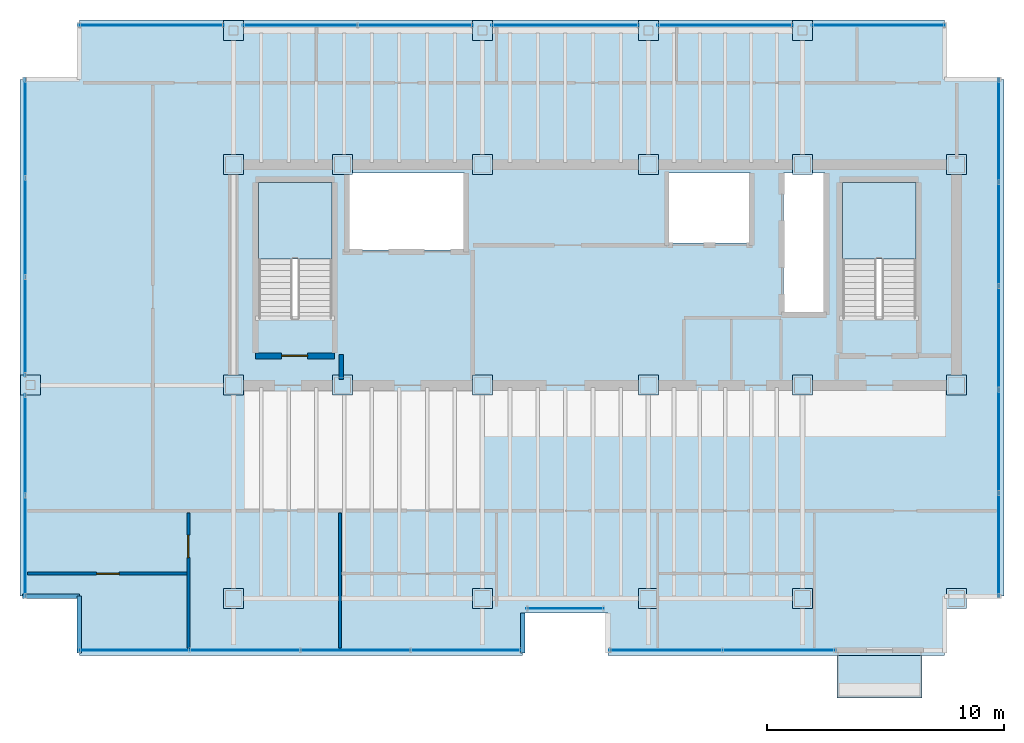
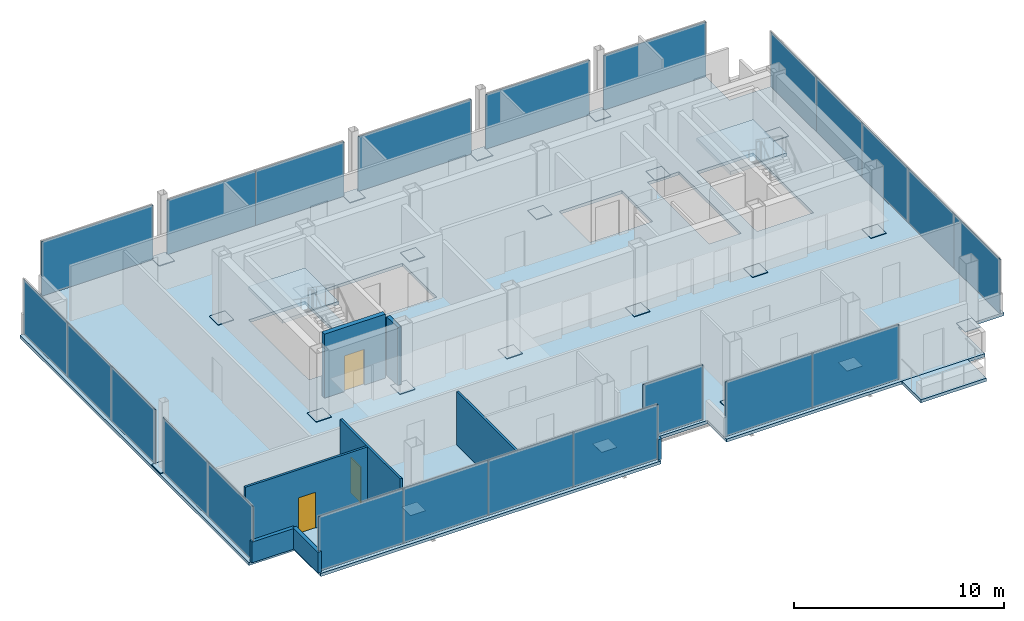
# One storey, part 14 of 17: 45 plates, 8 walls, 4 slabs, 3 doors, 8 openings, 13 elements without a shape of their own.
"""IFC4 building model written with IfcOpenShell, lengths in metres."""

import ifcopenshell
import ifcopenshell.guid

model = None  # the IFC model being written
_history = None  # IfcOwnerHistory: only IFC2X3 demands one
_inside = {}  # id of a spatial element -> (the spatial element, [elements in it])
_under = {}  # id of a project, library or spatial element -> (it, [spatial elements below it])
_declared = {}  # id of a project -> (the project, [libraries it declares])
_typed = {}  # id of a type object -> (the type object, [elements of that type])
_made_of = {}  # id of a material, layer set ... -> (it, [elements and type objects made of it])


def new_model(schema):
    """Start an empty IFC model of exactly this schema.

    Asked for "IFC4X3", IfcOpenShell would pick the latest addendum, in which some entities
    have other attributes; the version numbers below select the first issue.
    IFC2X3 requires an IfcOwnerHistory on every rooted entity: one is made here for all.
    """
    global model, _history
    if schema == "IFC4X3":
        model = ifcopenshell.file(schema_version=(4, 3, 0, 0))
    else:
        model = ifcopenshell.file(schema=schema)
    _inside.clear()
    _under.clear()
    _declared.clear()
    _typed.clear()
    _made_of.clear()
    _history = None
    if model.schema == "IFC2X3":
        org = make("IfcOrganization", Name="unknown")
        user = make(
            "IfcPersonAndOrganization",
            ThePerson=make("IfcPerson", FamilyName="unknown"),
            TheOrganization=org,
        )
        app = make(
            "IfcApplication",
            ApplicationDeveloper=org,
            Version="unknown",
            ApplicationFullName="unknown",
            ApplicationIdentifier="unknown",
        )
        _history = make(
            "IfcOwnerHistory",
            OwningUser=user,
            OwningApplication=app,
            ChangeAction="ADDED",
            CreationDate=0,
        )
    return model


def make(cls, **values):
    """One entity of the class cls with the attributes given. An attribute that is None is left unset."""
    return model.create_entity(
        cls, **{name: value for name, value in values.items() if value is not None}
    )


def rooted(cls, **values):
    """An entity with a GlobalId (a new one), such as an element, a storey or a relation."""
    return make(cls, GlobalId=ifcopenshell.guid.new(), OwnerHistory=_history, **values)


def si_unit(unit_type, name, prefix=None):
    """IfcSIUnit, for example si_unit("LENGTHUNIT", "METRE", prefix="MILLI")."""
    return make("IfcSIUnit", UnitType=unit_type, Prefix=prefix, Name=name)


def assignment(units):
    """IfcUnitAssignment: the units of a project."""
    return None if units is None else make("IfcUnitAssignment", Units=units)


def point(xyz):
    """IfcCartesianPoint."""
    return None if xyz is None else make("IfcCartesianPoint", Coordinates=xyz)


def direction(xyz):
    """IfcDirection."""
    return None if xyz is None else make("IfcDirection", DirectionRatios=xyz)


def frame(location, z_axis=None, x_axis=None):
    """IfcAxis2Placement3D, a coordinate frame: its origin and axes. An axis left out is left unset."""
    return make(
        "IfcAxis2Placement3D",
        Location=point(location),
        Axis=direction(z_axis),
        RefDirection=direction(x_axis),
    )


def frame_2d(location, x_axis=None):
    """IfcAxis2Placement2D, a coordinate frame in the plane: its origin and x axis."""
    return make(
        "IfcAxis2Placement2D", Location=point(location), RefDirection=direction(x_axis)
    )


def origin():
    """The frame at (0, 0, 0) with its axes left unset."""
    return frame((0.0, 0.0, 0.0))


def origin_2d():
    """The frame at (0, 0) in the plane with its x axis left unset."""
    return frame_2d((0.0, 0.0))


def place(relative_to, where):
    """IfcLocalPlacement: puts the frame where relative to a parent placement (None: the world)."""
    return make(
        "IfcLocalPlacement", PlacementRelTo=relative_to, RelativePlacement=where
    )


def context(
    kind, dimensions, precision=None, world=None, true_north=None, identifier=None
):
    """IfcGeometricRepresentationContext, for example the 3D "Model" context."""
    return make(
        "IfcGeometricRepresentationContext",
        ContextIdentifier=identifier,
        ContextType=kind,
        CoordinateSpaceDimension=dimensions,
        Precision=precision,
        WorldCoordinateSystem=world,
        TrueNorth=true_north,
    )


def subcontext(parent, identifier, kind, view, scale=None):
    """IfcGeometricRepresentationSubContext, for example "Body" below "Model"."""
    return make(
        "IfcGeometricRepresentationSubContext",
        ContextIdentifier=identifier,
        ContextType=kind,
        ParentContext=parent,
        TargetScale=scale,
        TargetView=view,
    )


def project(units=None, contexts=None):
    """IfcProject with its units and contexts."""
    return rooted(
        "IfcProject",
        Name="project",
        RepresentationContexts=contexts,
        UnitsInContext=assignment(units),
    )


def spatial(cls, under=None, at=None, **own):
    """A site, building, storey or space (cls), placed at a placement, below another one or the project."""
    s = rooted(cls, ObjectPlacement=at, **own)
    if under is not None:
        _under.setdefault(under.id(), (under, []))[1].append(s)
    return s


def polyline(points):
    """IfcPolyline through the points."""
    return make("IfcPolyline", Points=[point(p) for p in points])


def profile(cls, at=None, kind="AREA", **sizes):
    """A parametric profile (cls). Its sizes go by their IFC names, for example OverallWidth=200.0."""
    return make(cls, ProfileType=kind, Position=at, **sizes)


def rectangle(**sizes):
    """IfcRectangleProfileDef."""
    return profile("IfcRectangleProfileDef", **sizes)


def outline(outer, holes=None, kind="AREA"):
    """IfcArbitraryClosedProfileDef: a profile drawn as a closed curve; with holes, ...WithVoids."""
    if holes is None:
        return make("IfcArbitraryClosedProfileDef", ProfileType=kind, OuterCurve=outer)
    return make(
        "IfcArbitraryProfileDefWithVoids",
        ProfileType=kind,
        OuterCurve=outer,
        InnerCurves=holes,
    )


def extrude(swept, where, along, depth):
    """IfcExtrudedAreaSolid: the profile swept, set in the frame where, extruded along a direction by depth."""
    return make(
        "IfcExtrudedAreaSolid",
        SweptArea=swept,
        Position=where,
        ExtrudedDirection=direction(along),
        Depth=depth,
    )


def shape(context_of_items, identifier, shape_type, items):
    """IfcShapeRepresentation: the items that make up one representation, for example the "Body"."""
    return make(
        "IfcShapeRepresentation",
        ContextOfItems=context_of_items,
        RepresentationIdentifier=identifier,
        RepresentationType=shape_type,
        Items=items,
    )


def material(Name=None, Category=None):
    """IfcMaterial."""
    return make("IfcMaterial", Name=Name, Category=Category)


def layer(
    of_material, thickness, ventilated=None, Name=None, Category=None, Priority=None
):
    """IfcMaterialLayer: one layer of a wall or slab, of a material (None: an air gap)."""
    return make(
        "IfcMaterialLayer",
        Material=of_material,
        LayerThickness=thickness,
        IsVentilated=ventilated,
        Name=Name,
        Category=Category,
        Priority=Priority,
    )


def layer_set(layers, Name=None):
    """IfcMaterialLayerSet."""
    return make("IfcMaterialLayerSet", MaterialLayers=layers, LayerSetName=Name)


def made_of(thing, what):
    """Note that an element or type object is made of a material, layer set ...; save() writes the relation."""
    if what is not None:
        _made_of.setdefault(what.id(), (what, []))[1].append(thing)
    return thing


def type_object(cls, material=None, **own):
    """A type object (cls), such as IfcWallType, which elements share."""
    return made_of(rooted(cls, **own), material)


def element(
    cls,
    number,
    at=None,
    inside=None,
    cuts=None,
    type_object=None,
    material=None,
    context=None,
    identifier="Body",
    shape_type=None,
    held_by="IfcProductDefinitionShape",
    body=None,
    shapes=None,
    **own,
):
    """One element of the class cls, such as IfcWall. Its Tag is "e" and its number.

    at: its placement. inside: the storey or other place that contains it. cuts: it is an
    opening in that element (IfcRelVoidsElement). A single representation is given by context,
    identifier, shape_type and body (its items); several are given by shapes. held_by: the class
    of the entity that holds the representations. save() writes the other relations.
    """
    e = rooted(cls, Tag="e%d" % number, ObjectPlacement=at, **own)
    if body is not None:
        shapes = [shape(context, identifier, shape_type, body)]
    if shapes is not None:
        e.Representation = make(held_by, Representations=shapes)
    if inside is not None:
        _inside.setdefault(inside.id(), (inside, []))[1].append(e)
    if cuts is not None:
        rooted(
            "IfcRelVoidsElement", RelatingBuildingElement=cuts, RelatedOpeningElement=e
        )
    if type_object is not None:
        _typed.setdefault(type_object.id(), (type_object, []))[1].append(e)
    return made_of(e, material)


def fill(opening, filler):
    """IfcRelFillsElement: the door or window that sits in an opening."""
    return rooted(
        "IfcRelFillsElement",
        RelatingOpeningElement=opening,
        RelatedBuildingElement=filler,
    )


def aggregate(whole, parts):
    """IfcRelAggregates: a whole, such as a stair, and the parts it consists of."""
    return rooted("IfcRelAggregates", RelatingObject=whole, RelatedObjects=parts)


def save(model, path):
    """Write the relations noted so far, then the file.

    IfcRelAggregates (storeys below a building ...), IfcRelContainedInSpatialStructure (elements
    in a storey), IfcRelDefinesByType, IfcRelAssociatesMaterial and IfcRelDeclares: one each for
    every whole, place, type object, material and project.
    """
    for whole, parts in _under.values():
        aggregate(whole, parts)
    for where, things in _inside.values():
        rooted(
            "IfcRelContainedInSpatialStructure",
            RelatedElements=things,
            RelatingStructure=where,
        )
    for kind, things in _typed.values():
        rooted("IfcRelDefinesByType", RelatedObjects=things, RelatingType=kind)
    for what, things in _made_of.values():
        rooted("IfcRelAssociatesMaterial", RelatedObjects=things, RelatingMaterial=what)
    for by, libraries in _declared.values():
        rooted("IfcRelDeclares", RelatingContext=by, RelatedDefinitions=libraries)
    model.write(path)


model = new_model("IFC4")

# Units and contexts
model_context = context("Model", 3, precision=1e-05, world=origin(), true_north=direction((0.0, 1.0)))
body_context = subcontext(model_context, "Body", "Model", "MODEL_VIEW")
ifc_project = project(units=[si_unit("LENGTHUNIT", "METRE"), si_unit("AREAUNIT", "SQUARE_METRE"), si_unit("VOLUMEUNIT", "CUBIC_METRE"), si_unit("PLANEANGLEUNIT", "RADIAN"), si_unit("MASSUNIT", "GRAM", prefix="KILO")], contexts=[model_context])

# Site, building, storey
site_placement = place(None, origin())
site = spatial("IfcSite", under=ifc_project, at=site_placement, CompositionType="ELEMENT")
building_placement = place(site_placement, origin())
building = spatial("IfcBuilding", under=site, at=building_placement, Name="Noeulbin Bourse Tower", CompositionType="ELEMENT")
storey_placement = place(building_placement, frame((0.0, 0.0, 273.5)))
storey = spatial("IfcBuildingStorey", under=building, at=storey_placement, Name="L68", CompositionType="ELEMENT", Elevation=273.5)

# Curtain wall, plate
ifc_material_1 = material(Name="High-Selectivity Low-Iron Glazing", Category="glass")
curtain_wall_type = type_object("IfcCurtainWallType", Name="CW-SYS-4", PredefinedType="NOTDEFINED", material=ifc_material_1)
curtain_wall_1_placement = place(storey_placement, origin())
curtain_wall_1 = element("IfcCurtainWall", 1, at=curtain_wall_1_placement, inside=storey, type_object=curtain_wall_type, Name="Unitised Curtain Wall CW-L68-SREC", PredefinedType="NOTDEFINED")
ifc_layer_1 = layer(ifc_material_1, 0.035888671875)
ifc_layer_set_1 = layer_set([ifc_layer_1], Name="High-Selectivity Low-Iron Glazing")
plate_type_1 = type_object("IfcPlateType", Name="CW-SYS-4-PNL", PredefinedType="CURTAIN_PANEL", material=ifc_layer_set_1)
plate_1_placement = place(storey_placement, frame((27.5, 19.580078125, 0.0), z_axis=(0.0, 0.0, 1.0), x_axis=(1.0, 0.0, 0.0)))
plate_1 = element("IfcPlate", 2, at=plate_1_placement, type_object=plate_type_1, Name="Glazed Curtain Panel CW-L68-SREC-P00", PredefinedType="CURTAIN_PANEL", context=body_context, shape_type="SweptSolid", body=[
    extrude(rectangle(XDim=3.300048828125, YDim=0.035888671875, at=origin_2d()), origin(), (0.0, 0.0, 1.0), 3.179931640625),
])
aggregate(curtain_wall_1, [plate_1])

# Curtain wall, plates
curtain_wall_2_placement = place(storey_placement, origin())
curtain_wall_2 = element("IfcCurtainWall", 3, at=curtain_wall_2_placement, inside=storey, type_object=curtain_wall_type, Name="Unitised Curtain Wall CW-L68-S1", PredefinedType="NOTDEFINED")
plate_2_placement = place(storey_placement, frame((9.313720703125, 17.820068359375, 0.0), z_axis=(0.0, 0.0, 1.0), x_axis=(1.0, 0.0, 0.0)))
plate_2 = element("IfcPlate", 4, at=plate_2_placement, type_object=plate_type_1, Name="Glazed Curtain Panel CW-L68-S1-P00", PredefinedType="CURTAIN_PANEL", context=body_context, shape_type="SweptSolid", body=[
    extrude(rectangle(XDim=4.66748046875, YDim=0.035888671875, at=origin_2d()), origin(), (0.0, 0.0, 1.0), 3.179931640625),
])
plate_3_placement = place(storey_placement, frame((13.981201171875, 17.820068359375, 0.0), z_axis=(0.0, 0.0, 1.0), x_axis=(1.0, 0.0, 0.0)))
plate_3 = element("IfcPlate", 5, at=plate_3_placement, type_object=plate_type_1, Name="Glazed Curtain Panel CW-L68-S1-P01", PredefinedType="CURTAIN_PANEL", context=body_context, shape_type="SweptSolid", body=[
    extrude(rectangle(XDim=4.66748046875, YDim=0.035888671875, at=origin_2d()), origin(), (0.0, 0.0, 1.0), 3.179931640625),
])
plate_4_placement = place(storey_placement, frame((18.648681640625, 17.820068359375, 0.0), z_axis=(0.0, 0.0, 1.0), x_axis=(1.0, 0.0, 0.0)))
plate_4 = element("IfcPlate", 6, at=plate_4_placement, type_object=plate_type_1, Name="Glazed Curtain Panel CW-L68-S1-P02", PredefinedType="CURTAIN_PANEL", context=body_context, shape_type="SweptSolid", body=[
    extrude(rectangle(XDim=4.66748046875, YDim=0.035888671875, at=origin_2d()), origin(), (0.0, 0.0, 1.0), 3.179931640625),
])
plate_5_placement = place(storey_placement, frame((23.31640625, 17.820068359375, 0.0), z_axis=(0.0, 0.0, 1.0), x_axis=(1.0, 0.0, 0.0)))
plate_5 = element("IfcPlate", 7, at=plate_5_placement, type_object=plate_type_1, Name="Glazed Curtain Panel CW-L68-S1-P03", PredefinedType="CURTAIN_PANEL", context=body_context, shape_type="SweptSolid", body=[
    extrude(rectangle(XDim=4.66748046875, YDim=0.035888671875, at=origin_2d()), origin(), (0.0, 0.0, 1.0), 3.179931640625),
])
aggregate(curtain_wall_2, [plate_2, plate_3, plate_4, plate_5])

curtain_wall_3_placement = place(storey_placement, origin())
curtain_wall_3 = element("IfcCurtainWall", 8, at=curtain_wall_3_placement, inside=storey, type_object=curtain_wall_type, Name="Unitised Curtain Wall CW-L68-S2", PredefinedType="NOTDEFINED")
plate_6_placement = place(storey_placement, frame((31.737548828125, 17.820068359375, 0.0), z_axis=(0.0, 0.0, 1.0), x_axis=(1.0, 0.0, 0.0)))
plate_6 = element("IfcPlate", 9, at=plate_6_placement, type_object=plate_type_1, Name="Glazed Curtain Panel CW-L68-S2-P00", PredefinedType="CURTAIN_PANEL", context=body_context, shape_type="SweptSolid", body=[
    extrude(rectangle(XDim=4.77490234375, YDim=0.035888671875, at=origin_2d()), origin(), (0.0, 0.0, 1.0), 3.179931640625),
])
plate_7_placement = place(storey_placement, frame((36.512451171875, 17.820068359375, 0.0), z_axis=(0.0, 0.0, 1.0), x_axis=(1.0, 0.0, 0.0)))
plate_7 = element("IfcPlate", 10, at=plate_7_placement, type_object=plate_type_1, Name="Glazed Curtain Panel CW-L68-S2-P01", PredefinedType="CURTAIN_PANEL", context=body_context, shape_type="SweptSolid", body=[
    extrude(rectangle(XDim=4.77490234375, YDim=0.035888671875, at=origin_2d()), origin(), (0.0, 0.0, 1.0), 3.179931640625),
])
aggregate(curtain_wall_3, [plate_6, plate_7])

# Curtain wall, plate
curtain_wall_4_placement = place(storey_placement, origin())
curtain_wall_4 = element("IfcCurtainWall", 11, at=curtain_wall_4_placement, inside=storey, type_object=curtain_wall_type, Name="Unitised Curtain Wall CW-L68-N-S1", PredefinedType="NOTDEFINED")
plate_8_placement = place(storey_placement, frame((10.047607421875, 44.179931640625, 0.0), z_axis=(0.0, 0.0, 1.0), x_axis=(1.0, 0.0, 0.0)))
plate_8 = element("IfcPlate", 12, at=plate_8_placement, type_object=plate_type_1, Name="Glazed Curtain Panel CW-L68-N-S1-P00", PredefinedType="CURTAIN_PANEL", context=body_context, shape_type="SweptSolid", body=[
    extrude(rectangle(XDim=6.135009765625, YDim=0.035888671875, at=origin_2d()), origin(), (0.0, 0.0, 1.0), 3.179931640625),
])
aggregate(curtain_wall_4, [plate_8])

# Curtain wall, plates
curtain_wall_5_placement = place(storey_placement, origin())
curtain_wall_5 = element("IfcCurtainWall", 13, at=curtain_wall_5_placement, inside=storey, type_object=curtain_wall_type, Name="Unitised Curtain Wall CW-L68-N-S2", PredefinedType="NOTDEFINED")
plate_9_placement = place(storey_placement, frame((16.3173828125, 44.179931640625, 0.0), z_axis=(0.0, 0.0, 1.0), x_axis=(1.0, 0.0, 0.0)))
plate_9 = element("IfcPlate", 14, at=plate_9_placement, type_object=plate_type_1, Name="Glazed Curtain Panel CW-L68-N-S2-P00", PredefinedType="CURTAIN_PANEL", context=body_context, shape_type="SweptSolid", body=[
    extrude(rectangle(XDim=4.864990234375, YDim=0.035888671875, at=origin_2d()), origin(), (0.0, 0.0, 1.0), 3.179931640625),
])
plate_10_placement = place(storey_placement, frame((21.1826171875, 44.179931640625, 0.0), z_axis=(0.0, 0.0, 1.0), x_axis=(1.0, 0.0, 0.0)))
plate_10 = element("IfcPlate", 15, at=plate_10_placement, type_object=plate_type_1, Name="Glazed Curtain Panel CW-L68-N-S2-P01", PredefinedType="CURTAIN_PANEL", context=body_context, shape_type="SweptSolid", body=[
    extrude(rectangle(XDim=4.864990234375, YDim=0.035888671875, at=origin_2d()), origin(), (0.0, 0.0, 1.0), 3.179931640625),
])
aggregate(curtain_wall_5, [plate_9, plate_10])

# Curtain wall, plate
curtain_wall_6_placement = place(storey_placement, origin())
curtain_wall_6 = element("IfcCurtainWall", 16, at=curtain_wall_6_placement, inside=storey, type_object=curtain_wall_type, Name="Unitised Curtain Wall CW-L68-N-S3", PredefinedType="NOTDEFINED")
plate_11_placement = place(storey_placement, frame((27.5, 44.179931640625, 0.0), z_axis=(0.0, 0.0, 1.0), x_axis=(1.0, 0.0, 0.0)))
plate_11 = element("IfcPlate", 17, at=plate_11_placement, type_object=plate_type_1, Name="Glazed Curtain Panel CW-L68-N-S3-P00", PredefinedType="CURTAIN_PANEL", context=body_context, shape_type="SweptSolid", body=[
    extrude(rectangle(XDim=6.22998046875, YDim=0.035888671875, at=origin_2d()), origin(), (0.0, 0.0, 1.0), 3.179931640625),
])
aggregate(curtain_wall_6, [plate_11])

curtain_wall_7_placement = place(storey_placement, origin())
curtain_wall_7 = element("IfcCurtainWall", 18, at=curtain_wall_7_placement, inside=storey, type_object=curtain_wall_type, Name="Unitised Curtain Wall CW-L68-N-S4", PredefinedType="NOTDEFINED")
plate_12_placement = place(storey_placement, frame((34.25, 44.179931640625, 0.0), z_axis=(0.0, 0.0, 1.0), x_axis=(1.0, 0.0, 0.0)))
plate_12 = element("IfcPlate", 19, at=plate_12_placement, type_object=plate_type_1, Name="Glazed Curtain Panel CW-L68-N-S4-P00", PredefinedType="CURTAIN_PANEL", context=body_context, shape_type="SweptSolid", body=[
    extrude(rectangle(XDim=5.72998046875, YDim=0.035888671875, at=origin_2d()), origin(), (0.0, 0.0, 1.0), 3.179931640625),
])
aggregate(curtain_wall_7, [plate_12])

curtain_wall_8_placement = place(storey_placement, origin())
curtain_wall_8 = element("IfcCurtainWall", 20, at=curtain_wall_8_placement, inside=storey, type_object=curtain_wall_type, Name="Unitised Curtain Wall CW-L68-N-S5", PredefinedType="NOTDEFINED")
plate_13_placement = place(storey_placement, frame((40.702392578125, 44.179931640625, 0.0), z_axis=(0.0, 0.0, 1.0), x_axis=(1.0, 0.0, 0.0)))
plate_13 = element("IfcPlate", 21, at=plate_13_placement, type_object=plate_type_1, Name="Glazed Curtain Panel CW-L68-N-S5-P00", PredefinedType="CURTAIN_PANEL", context=body_context, shape_type="SweptSolid", body=[
    extrude(rectangle(XDim=5.635009765625, YDim=0.035888671875, at=origin_2d()), origin(), (0.0, 0.0, 1.0), 3.179931640625),
])
aggregate(curtain_wall_8, [plate_13])

# Curtain wall, plates
curtain_wall_9_placement = place(storey_placement, origin())
curtain_wall_9 = element("IfcCurtainWall", 22, at=curtain_wall_9_placement, inside=storey, type_object=curtain_wall_type, Name="Unitised Curtain Wall CW-L68-W-S1", PredefinedType="NOTDEFINED")
plate_14_placement = place(storey_placement, frame((4.719970703125, 22.213623046875, 0.0), z_axis=(0.0, 0.0, 1.0), x_axis=(0.0, 1.0, 0.0)))
plate_14 = element("IfcPlate", 23, at=plate_14_placement, type_object=plate_type_1, Name="Glazed Curtain Panel CW-L68-W-S1-P00", PredefinedType="CURTAIN_PANEL", context=body_context, shape_type="SweptSolid", body=[
    extrude(rectangle(XDim=4.267578125, YDim=0.035888671875, at=origin_2d()), origin(), (0.0, 0.0, 1.0), 3.179931640625),
])
plate_15_placement = place(storey_placement, frame((4.719970703125, 26.481201171875, 0.0), z_axis=(0.0, 0.0, 1.0), x_axis=(0.0, 1.0, 0.0)))
plate_15 = element("IfcPlate", 24, at=plate_15_placement, type_object=plate_type_1, Name="Glazed Curtain Panel CW-L68-W-S1-P01", PredefinedType="CURTAIN_PANEL", context=body_context, shape_type="SweptSolid", body=[
    extrude(rectangle(XDim=4.267578125, YDim=0.035888671875, at=origin_2d()), origin(), (0.0, 0.0, 1.0), 3.179931640625),
])
aggregate(curtain_wall_9, [plate_14, plate_15])

curtain_wall_10_placement = place(storey_placement, origin())
curtain_wall_10 = element("IfcCurtainWall", 25, at=curtain_wall_10_placement, inside=storey, type_object=curtain_wall_type, Name="Unitised Curtain Wall CW-L68-W-S2", PredefinedType="NOTDEFINED")
plate_16_placement = place(storey_placement, frame((4.719970703125, 31.47412109375, 0.0), z_axis=(0.0, 0.0, 1.0), x_axis=(0.0, 1.0, 0.0)))
plate_16 = element("IfcPlate", 26, at=plate_16_placement, type_object=plate_type_1, Name="Glazed Curtain Panel CW-L68-W-S2-P00", PredefinedType="CURTAIN_PANEL", context=body_context, shape_type="SweptSolid", body=[
    extrude(rectangle(XDim=4.17822265625, YDim=0.035888671875, at=origin_2d()), origin(), (0.0, 0.0, 1.0), 3.179931640625),
])
plate_17_placement = place(storey_placement, frame((4.719970703125, 35.652587890625, 0.0), z_axis=(0.0, 0.0, 1.0), x_axis=(0.0, 1.0, 0.0)))
plate_17 = element("IfcPlate", 27, at=plate_17_placement, type_object=plate_type_1, Name="Glazed Curtain Panel CW-L68-W-S2-P01", PredefinedType="CURTAIN_PANEL", context=body_context, shape_type="SweptSolid", body=[
    extrude(rectangle(XDim=4.17822265625, YDim=0.035888671875, at=origin_2d()), origin(), (0.0, 0.0, 1.0), 3.179931640625),
])
plate_18_placement = place(storey_placement, frame((4.719970703125, 39.830810546875, 0.0), z_axis=(0.0, 0.0, 1.0), x_axis=(0.0, 1.0, 0.0)))
plate_18 = element("IfcPlate", 28, at=plate_18_placement, type_object=plate_type_1, Name="Glazed Curtain Panel CW-L68-W-S2-P02", PredefinedType="CURTAIN_PANEL", context=body_context, shape_type="SweptSolid", body=[
    extrude(rectangle(XDim=4.17822265625, YDim=0.035888671875, at=origin_2d()), origin(), (0.0, 0.0, 1.0), 3.179931640625),
])
aggregate(curtain_wall_10, [plate_16, plate_17, plate_18])

curtain_wall_11_placement = place(storey_placement, origin())
curtain_wall_11 = element("IfcCurtainWall", 29, at=curtain_wall_11_placement, inside=storey, type_object=curtain_wall_type, Name="Unitised Curtain Wall CW-L68-E", PredefinedType="NOTDEFINED")
plate_19_placement = place(storey_placement, frame((45.780029296875, 22.263916015625, 0.0), z_axis=(0.0, 0.0, 1.0), x_axis=(0.0, 1.0, 0.0)))
plate_19 = element("IfcPlate", 30, at=plate_19_placement, type_object=plate_type_1, Name="Glazed Curtain Panel CW-L68-E-P00", PredefinedType="CURTAIN_PANEL", context=body_context, shape_type="SweptSolid", body=[
    extrude(rectangle(XDim=4.367919921875, YDim=0.035888671875, at=origin_2d()), origin(), (0.0, 0.0, 1.0), 3.179931640625),
])
plate_20_placement = place(storey_placement, frame((45.780029296875, 26.632080078125, 0.0), z_axis=(0.0, 0.0, 1.0), x_axis=(0.0, 1.0, 0.0)))
plate_20 = element("IfcPlate", 31, at=plate_20_placement, type_object=plate_type_1, Name="Glazed Curtain Panel CW-L68-E-P01", PredefinedType="CURTAIN_PANEL", context=body_context, shape_type="SweptSolid", body=[
    extrude(rectangle(XDim=4.367919921875, YDim=0.035888671875, at=origin_2d()), origin(), (0.0, 0.0, 1.0), 3.179931640625),
])
plate_21_placement = place(storey_placement, frame((45.780029296875, 31.0, 0.0), z_axis=(0.0, 0.0, 1.0), x_axis=(0.0, 1.0, 0.0)))
plate_21 = element("IfcPlate", 32, at=plate_21_placement, type_object=plate_type_1, Name="Glazed Curtain Panel CW-L68-E-P02", PredefinedType="CURTAIN_PANEL", context=body_context, shape_type="SweptSolid", body=[
    extrude(rectangle(XDim=4.367919921875, YDim=0.035888671875, at=origin_2d()), origin(), (0.0, 0.0, 1.0), 3.179931640625),
])
plate_22_placement = place(storey_placement, frame((45.780029296875, 35.367919921875, 0.0), z_axis=(0.0, 0.0, 1.0), x_axis=(0.0, 1.0, 0.0)))
plate_22 = element("IfcPlate", 33, at=plate_22_placement, type_object=plate_type_1, Name="Glazed Curtain Panel CW-L68-E-P03", PredefinedType="CURTAIN_PANEL", context=body_context, shape_type="SweptSolid", body=[
    extrude(rectangle(XDim=4.367919921875, YDim=0.035888671875, at=origin_2d()), origin(), (0.0, 0.0, 1.0), 3.179931640625),
])
plate_23_placement = place(storey_placement, frame((45.780029296875, 39.736083984375, 0.0), z_axis=(0.0, 0.0, 1.0), x_axis=(0.0, 1.0, 0.0)))
plate_23 = element("IfcPlate", 34, at=plate_23_placement, type_object=plate_type_1, Name="Glazed Curtain Panel CW-L68-E-P04", PredefinedType="CURTAIN_PANEL", context=body_context, shape_type="SweptSolid", body=[
    extrude(rectangle(XDim=4.367919921875, YDim=0.035888671875, at=origin_2d()), origin(), (0.0, 0.0, 1.0), 3.179931640625),
])
aggregate(curtain_wall_11, [plate_19, plate_20, plate_21, plate_22, plate_23])

# Plates
ifc_material_2 = material(Name="Steel S355", Category="steel")
ifc_layer_2 = layer(ifc_material_2, 0.030029296875)
ifc_layer_set_2 = layer_set([ifc_layer_2], Name="Steel S355")
plate_type_2 = type_object("IfcPlateType", Name="PLT-BN1", PredefinedType="USERDEFINED", material=ifc_layer_set_2)
for number, where, z_axis, x_axis, name in (
    (35, (13.5, 29.0, 0.0048828125), (0.0, 0.0, 1.0), (1.0, 0.0, 0.0), "Mega-Column Splice Plate BN1-L68-01"),
    (36, (13.5, 38.300048828125, 0.0048828125), (0.0, 0.0, 1.0), (1.0, 0.0, 0.0), "Mega-Column Splice Plate BN1-L68-02"),
    (37, (18.10009765625, 29.0, 0.0048828125), (0.0, 0.0, 1.0), (1.0, 0.0, 0.0), "Mega-Column Splice Plate BN1-L68-03"),
    (38, (18.10009765625, 38.300048828125, 0.0048828125), (0.0, 0.0, 1.0), (1.0, 0.0, 0.0), "Mega-Column Splice Plate BN1-L68-04"),
    (39, (24.0, 29.0, 0.0048828125), (0.0, 0.0, 1.0), (1.0, 0.0, 0.0), "Mega-Column Splice Plate BN1-L68-05"),
    (40, (24.0, 38.300048828125, 0.0048828125), (0.0, 0.0, 1.0), (1.0, 0.0, 0.0), "Mega-Column Splice Plate BN1-L68-06"),
    (41, (31.0, 29.0, 0.0048828125), (0.0, 0.0, 1.0), (1.0, 0.0, 0.0), "Mega-Column Splice Plate BN1-L68-07"),
    (42, (31.0, 38.300048828125, 0.0048828125), (0.0, 0.0, 1.0), (1.0, 0.0, 0.0), "Mega-Column Splice Plate BN1-L68-08"),
    (43, (37.5, 29.0, 0.0048828125), (0.0, 0.0, 1.0), (1.0, 0.0, 0.0), "Mega-Column Splice Plate BN1-L68-09"),
    (44, (37.5, 38.300048828125, 0.0048828125), (0.0, 0.0, 1.0), (1.0, 0.0, 0.0), "Mega-Column Splice Plate BN1-L68-10"),
    (45, (44.0, 29.0, 0.0048828125), (0.0, 0.0, 1.0), (1.0, 0.0, 0.0), "Mega-Column Splice Plate BN1-L68-11"),
    (46, (44.0, 38.300048828125, 0.0048828125), (0.0, 0.0, 1.0), (1.0, 0.0, 0.0), "Mega-Column Splice Plate BN1-L68-12"),
    (47, (13.5, 20.0, 0.0048828125), (0.0, 0.0, 1.0), (1.0, 0.0, 0.0), "Mega-Column Splice Plate BN1-L68-13"),
    (48, (24.0, 20.0, 0.0048828125), (0.0, 0.0, 1.0), (1.0, 0.0, 0.0), "Mega-Column Splice Plate BN1-L68-14"),
    (49, (31.0, 20.0, 0.0048828125), (0.0, 0.0, 1.0), (1.0, 0.0, 0.0), "Mega-Column Splice Plate BN1-L68-15"),
    (50, (37.5, 20.0, 0.0048828125), (0.0, 0.0, 1.0), (1.0, 0.0, 0.0), "Mega-Column Splice Plate BN1-L68-16"),
    (51, (44.0, 20.0, 0.0048828125), (0.0, 0.0, 1.0), (1.0, 0.0, 0.0), "Mega-Column Splice Plate BN1-L68-17"),
    (52, (4.949951171875, 29.0, 0.0048828125), (0.0, 0.0, 1.0), (1.0, 0.0, 0.0), "Perimeter Column Splice Plate BN1-L68-01"),
    (53, (13.5, 43.949951171875, 0.0048828125), (0.0, 0.0, 1.0), (1.0, 0.0, 0.0), "Perimeter Column Splice Plate BN1-L68-02"),
    (54, (24.0, 43.949951171875, 0.0048828125), (0.0, 0.0, 1.0), (1.0, 0.0, 0.0), "Perimeter Column Splice Plate BN1-L68-03"),
    (55, (31.0, 43.949951171875, 0.0048828125), (0.0, 0.0, 1.0), (1.0, 0.0, 0.0), "Perimeter Column Splice Plate BN1-L68-04"),
    (56, (37.5, 43.949951171875, 0.0048828125), (0.0, 0.0, 1.0), (1.0, 0.0, 0.0), "Perimeter Column Splice Plate BN1-L68-05"),
):
    element("IfcPlate", number, at=place(storey_placement, frame(where, z_axis=z_axis, x_axis=x_axis)), inside=storey, type_object=plate_type_2, Name=name, ObjectType="SPLICE PLATE", PredefinedType="USERDEFINED", context=body_context, shape_type="SweptSolid", body=[
        extrude(rectangle(XDim=0.85009765625, YDim=0.85009765625, at=origin_2d()), origin(), (0.0, 0.0, 1.0), 0.030029296875),
    ])

# Stair, slab
ifc_material_3 = material(Name="Concrete C40/50", Category="concrete")
stair_type = type_object("IfcStairType", Name="STR-CORE-1560", PredefinedType="HALF_TURN_STAIR", material=ifc_material_3)
stair_1_placement = place(storey_placement, origin())
stair_1 = element("IfcStair", 57, at=stair_1_placement, inside=storey, type_object=stair_type, Name="L68 ST-1", PredefinedType="HALF_TURN_STAIR")
ifc_layer_3 = layer(ifc_material_3, 0.199951171875)
ifc_layer_set_3 = layer_set([ifc_layer_3], Name="Concrete C40/50")
slab_type_1 = type_object("IfcSlabType", Name="SLB-LND-200", PredefinedType="LANDING", material=ifc_layer_set_3)
slab_1_placement = place(storey_placement, frame((0.0, 0.0, 1.75)))
slab_1 = element("IfcSlab", 58, at=slab_1_placement, type_object=slab_type_1, Name="ST-1 landing 1", PredefinedType="LANDING", context=body_context, shape_type="SweptSolid", body=[
    extrude(outline(polyline([(17.64990234375, 34.330078125), (17.64990234375, 37.5439453125), (14.550048828125, 37.5439453125), (14.550048828125, 34.330078125), (17.64990234375, 34.330078125)])), origin(), (0.0, 0.0, 1.0), 0.199951171875),
])
aggregate(stair_1, [slab_1])

stair_2_placement = place(storey_placement, origin())
stair_2 = element("IfcStair", 59, at=stair_2_placement, inside=storey, type_object=stair_type, Name="L68 ST-2", PredefinedType="HALF_TURN_STAIR")
slab_2_placement = place(storey_placement, frame((0.0, 0.0, 1.75)))
slab_2 = element("IfcSlab", 60, at=slab_2_placement, type_object=slab_type_1, Name="ST-2 landing 1", PredefinedType="LANDING", context=body_context, shape_type="SweptSolid", body=[
    extrude(outline(polyline([(42.280029296875, 34.330078125), (42.280029296875, 37.5439453125), (39.179931640625, 37.5439453125), (39.179931640625, 34.330078125), (42.280029296875, 34.330078125)])), origin(), (0.0, 0.0, 1.0), 0.199951171875),
])
aggregate(stair_2, [slab_2])

# Slab, openings
ifc_layer_4 = layer(ifc_material_3, 0.179931640625)
ifc_layer_set_4 = layer_set([ifc_layer_4], Name="Concrete C40/50")
slab_type_2 = type_object("IfcSlabType", Name="SLB-TYP-180", PredefinedType="FLOOR", material=ifc_layer_set_4)
slab_3_placement = place(storey_placement, frame((0.0, 0.0, -0.179931640625)))
slab_3 = element("IfcSlab", 61, at=slab_3_placement, inside=storey, type_object=slab_type_2, Name="Tower Structural Floor Slab L68", PredefinedType="FLOOR", context=body_context, shape_type="SweptSolid", body=[
    extrude(outline(polyline([(7.0, 17.60009765625), (25.699951171875, 17.60009765625), (25.699951171875, 19.39990234375), (29.300048828125, 19.39990234375), (29.300048828125, 17.60009765625), (43.5, 17.60009765625), (43.5, 20.10009765625), (46.0, 20.10009765625), (46.0, 41.89990234375), (43.5, 41.89990234375), (43.5, 44.39990234375), (7.0, 44.39990234375), (7.0, 41.89990234375), (4.5, 41.89990234375), (4.5, 20.10009765625), (7.0, 20.10009765625), (7.0, 17.60009765625)]), holes=[polyline([(17.64990234375, 31.81005859375), (17.64990234375, 37.5439453125), (14.550048828125, 37.5439453125), (14.550048828125, 31.81005859375), (17.64990234375, 31.81005859375)]), polyline([(42.280029296875, 31.81005859375), (42.280029296875, 37.5439453125), (39.179931640625, 37.5439453125), (39.179931640625, 31.81005859375), (42.280029296875, 31.81005859375)]), polyline([(18.35009765625, 34.699951171875), (23.25, 34.699951171875), (23.25, 37.949951171875), (18.35009765625, 37.949951171875), (18.35009765625, 34.699951171875)]), polyline([(36.699951171875, 32.050048828125), (38.449951171875, 32.050048828125), (38.449951171875, 37.949951171875), (36.699951171875, 37.949951171875), (36.699951171875, 32.050048828125)]), polyline([(31.85009765625, 35.0), (35.300048828125, 35.0), (35.300048828125, 37.949951171875), (31.85009765625, 37.949951171875), (31.85009765625, 35.0)])]), origin(), (0.0, 0.0, 1.0), 0.179931640625),
])
opening_1_placement = place(slab_3_placement, frame((0.0, 0.0, -0.010009765625)))
element("IfcOpeningElement", 62, at=opening_1_placement, cuts=slab_3, Name="Slab Shaft Opening SLB-L68-TWR-1", PredefinedType="OPENING", context=body_context, shape_type="SweptSolid", body=[
    extrude(outline(polyline([(17.64990234375, 31.81005859375), (17.64990234375, 37.5439453125), (14.550048828125, 37.5439453125), (14.550048828125, 31.81005859375), (17.64990234375, 31.81005859375)])), origin(), (0.0, 0.0, 1.0), 0.199951171875),
])
opening_2_placement = place(slab_3_placement, frame((0.0, 0.0, -0.010009765625)))
element("IfcOpeningElement", 63, at=opening_2_placement, cuts=slab_3, Name="Slab Shaft Opening SLB-L68-TWR-2", PredefinedType="OPENING", context=body_context, shape_type="SweptSolid", body=[
    extrude(outline(polyline([(42.280029296875, 31.81005859375), (42.280029296875, 37.5439453125), (39.179931640625, 37.5439453125), (39.179931640625, 31.81005859375), (42.280029296875, 31.81005859375)])), origin(), (0.0, 0.0, 1.0), 0.199951171875),
])
opening_3_placement = place(slab_3_placement, frame((0.0, 0.0, -0.010009765625)))
element("IfcOpeningElement", 64, at=opening_3_placement, cuts=slab_3, Name="Slab Shaft Opening SLB-L68-TWR-3", PredefinedType="OPENING", context=body_context, shape_type="SweptSolid", body=[
    extrude(outline(polyline([(18.35009765625, 34.699951171875), (23.25, 34.699951171875), (23.25, 37.949951171875), (18.35009765625, 37.949951171875), (18.35009765625, 34.699951171875)])), origin(), (0.0, 0.0, 1.0), 0.199951171875),
])
opening_4_placement = place(slab_3_placement, frame((0.0, 0.0, -0.010009765625)))
element("IfcOpeningElement", 65, at=opening_4_placement, cuts=slab_3, Name="Slab Shaft Opening SLB-L68-TWR-4", PredefinedType="OPENING", context=body_context, shape_type="SweptSolid", body=[
    extrude(outline(polyline([(36.699951171875, 32.050048828125), (38.449951171875, 32.050048828125), (38.449951171875, 37.949951171875), (36.699951171875, 37.949951171875), (36.699951171875, 32.050048828125)])), origin(), (0.0, 0.0, 1.0), 0.199951171875),
])
opening_5_placement = place(slab_3_placement, frame((0.0, 0.0, -0.010009765625)))
element("IfcOpeningElement", 66, at=opening_5_placement, cuts=slab_3, Name="Slab Shaft Opening SLB-L68-TWR-5", PredefinedType="OPENING", context=body_context, shape_type="SweptSolid", body=[
    extrude(outline(polyline([(31.85009765625, 35.0), (35.300048828125, 35.0), (35.300048828125, 37.949951171875), (31.85009765625, 37.949951171875), (31.85009765625, 35.0)])), origin(), (0.0, 0.0, 1.0), 0.199951171875),
])

# Slab
slab_4_placement = place(storey_placement, frame((0.0, 0.0, -0.179931640625)))
element("IfcSlab", 67, at=slab_4_placement, inside=storey, type_object=slab_type_2, Name="Cantilevered Tree-Balcony Slab L68", PredefinedType="FLOOR", context=body_context, shape_type="SweptSolid", body=[
    extrude(outline(polyline([(38.949951171875, 15.800048828125), (42.550048828125, 15.800048828125), (42.550048828125, 17.60009765625), (38.949951171875, 17.60009765625), (38.949951171875, 15.800048828125)])), origin(), (0.0, 0.0, 1.0), 0.179931640625),
])

# Walls
ifc_layer_5 = layer(ifc_material_3, 0.199951171875)
ifc_layer_set_5 = layer_set([ifc_layer_5], Name="Concrete C40/50")
wall_type_1 = type_object("IfcWallType", Name="WAL-FIRE-200", PredefinedType="STANDARD", material=ifc_layer_set_5)
wall_1_placement = place(storey_placement, frame((18.050048828125, 29.235107421875, 0.0), z_axis=(0.0, 0.0, 1.0), x_axis=(0.0, 1.0, 0.0)))
element("IfcWall", 68, at=wall_1_placement, inside=storey, type_object=wall_type_1, Name="Interior Partition Wall L68-09", PredefinedType="STANDARD", context=body_context, shape_type="SweptSolid", body=[
    extrude(rectangle(XDim=1.06494140625, YDim=0.199951171875, at=frame_2d((0.532470703125, 0.0))), origin(), (0.0, 0.0, 1.0), 3.39990234375),
])
ifc_layer_6 = layer(ifc_material_3, 0.199951171875)
ifc_layer_set_6 = layer_set([ifc_layer_6], Name="Concrete C40/50")
wall_type_2 = type_object("IfcWallType", Name="WAL-PAR-200", PredefinedType="PARAPET", material=ifc_layer_set_6)
wall_2_placement = place(storey_placement, frame((4.60009765625, 20.10009765625, 0.0), z_axis=(0.0, 0.0, 1.0), x_axis=(1.0, 0.0, 0.0)))
element("IfcWall", 69, at=wall_2_placement, inside=storey, type_object=wall_type_2, Name="Corner Notch Parapet L68-SW1", PredefinedType="PARAPET", context=body_context, shape_type="SweptSolid", body=[
    extrude(rectangle(XDim=2.39990234375, YDim=0.199951171875, at=frame_2d((1.199951171875, 0.0))), origin(), (0.0, 0.0, 1.0), 1.199951171875),
])
wall_3_placement = place(storey_placement, frame((7.0, 20.10009765625, 0.0), z_axis=(0.0, 0.0, 1.0), x_axis=(0.0, -1.0, 0.0)))
element("IfcWall", 70, at=wall_3_placement, inside=storey, type_object=wall_type_2, Name="Corner Notch Parapet L68-SW2", PredefinedType="PARAPET", context=body_context, shape_type="SweptSolid", body=[
    extrude(rectangle(XDim=2.400146484375, YDim=0.199951171875, at=frame_2d((1.2001953125, 0.0))), origin(), (0.0, 0.0, 1.0), 1.199951171875),
])
wall_4_placement = place(storey_placement, frame((25.699951171875, 17.699951171875, 0.0), z_axis=(0.0, 0.0, 1.0), x_axis=(0.0, 1.0, 0.0)))
element("IfcWall", 71, at=wall_4_placement, inside=storey, type_object=wall_type_2, Name="Sky-Garden Recess Parapet L68-W", PredefinedType="PARAPET", context=body_context, shape_type="SweptSolid", body=[
    extrude(rectangle(XDim=1.699951171875, YDim=0.199951171875, at=frame_2d((0.85009765625, 0.0))), origin(), (0.0, 0.0, 1.0), 1.199951171875),
])

# Wall, opening, door
ifc_material_4 = material(Name="Steel Stud Gypsum Partition", Category="steel")
ifc_layer_7 = layer(ifc_material_4, 0.1201171875)
ifc_layer_set_7 = layer_set([ifc_layer_7], Name="Steel Stud Gypsum Partition")
wall_type_3 = type_object("IfcWallType", Name="WAL-PRT-120", PredefinedType="PARTITIONING", material=ifc_layer_set_7)
wall_5_placement = place(storey_placement, frame((4.81005859375, 21.050048828125, 0.0), z_axis=(0.0, 0.0, 1.0), x_axis=(1.0, 0.0, 0.0)))
wall_5 = element("IfcWall", 72, at=wall_5_placement, inside=storey, type_object=wall_type_3, Name="Interior Partition Wall L68-05", PredefinedType="PARTITIONING", context=body_context, shape_type="SweptSolid", body=[
    extrude(rectangle(XDim=6.7900390625, YDim=0.1201171875, at=frame_2d((3.39501953125, 0.0))), origin(), (0.0, 0.0, 1.0), 3.719970703125),
])
opening_6_placement = place(wall_5_placement, frame((2.919921875, 0.0, 0.0)))
opening_6 = element("IfcOpeningElement", 73, at=opening_6_placement, cuts=wall_5, Name="Opening ID-09", PredefinedType="OPENING", context=body_context, shape_type="SweptSolid", body=[
    extrude(rectangle(XDim=0.949951171875, YDim=2.080078125, at=frame_2d((0.47509765625, 1.0400390625))), frame((0.0, 0.070068359375, 0.0), z_axis=(0.0, -1.0, 0.0), x_axis=(1.0, 0.0, 0.0)), (0.0, 0.0, 1.0), 0.14013671875),
])
ifc_material_5 = material(Name="Acoustic Solid-Core Timber", Category="wood")
door_type_1 = type_object("IfcDoorType", Name="DR-SINGLE-950", OperationType="SINGLE_SWING_LEFT", PredefinedType="DOOR", material=ifc_material_5)
door_1_placement = place(opening_6_placement, origin())
door_1 = element("IfcDoor", 74, at=door_1_placement, inside=storey, type_object=door_type_1, Name="Interior Door L68-08", OperationType="SINGLE_SWING_RIGHT", OverallHeight=2.080078125, OverallWidth=0.949951171875, PredefinedType="DOOR", context=body_context, shape_type="SweptSolid", body=[
    extrude(rectangle(XDim=0.949951171875, YDim=2.080078125, at=frame_2d((0.47509765625, 1.0400390625))), frame((0.0, 0.02490234375, 0.0), z_axis=(0.0, -1.0, 0.0), x_axis=(1.0, 0.0, 0.0)), (0.0, 0.0, 1.0), 0.050048828125),
])
fill(opening_6, door_1)

wall_6_placement = place(storey_placement, frame((11.60009765625, 17.909912109375, 0.0), z_axis=(0.0, 0.0, 1.0), x_axis=(0.0, 1.0, 0.0)))
wall_6 = element("IfcWall", 75, at=wall_6_placement, inside=storey, type_object=wall_type_3, Name="Interior Partition Wall L68-16", PredefinedType="PARTITIONING", context=body_context, shape_type="SweptSolid", body=[
    extrude(rectangle(XDim=5.705078125, YDim=0.1201171875, at=frame_2d((2.8525390625, 0.0))), origin(), (0.0, 0.0, 1.0), 3.719970703125),
])
opening_7_placement = place(wall_6_placement, frame((3.81494140625, 0.0, 0.0)))
opening_7 = element("IfcOpeningElement", 76, at=opening_7_placement, cuts=wall_6, Name="Opening ID-09", PredefinedType="OPENING", context=body_context, shape_type="SweptSolid", body=[
    extrude(rectangle(XDim=0.949951171875, YDim=2.080078125, at=frame_2d((0.47509765625, 1.0400390625))), frame((0.0, 0.070068359375, 0.0), z_axis=(0.0, -1.0, 0.0), x_axis=(1.0, 0.0, 0.0)), (0.0, 0.0, 1.0), 0.14013671875),
])
door_2_placement = place(opening_7_placement, origin())
door_2 = element("IfcDoor", 77, at=door_2_placement, inside=storey, type_object=door_type_1, Name="Interior Door L68-09", OperationType="SINGLE_SWING_LEFT", OverallHeight=2.080078125, OverallWidth=0.949951171875, PredefinedType="DOOR", context=body_context, shape_type="SweptSolid", body=[
    extrude(rectangle(XDim=0.949951171875, YDim=2.080078125, at=frame_2d((0.47509765625, 1.0400390625))), frame((0.0, 0.02490234375, 0.0), z_axis=(0.0, -1.0, 0.0), x_axis=(1.0, 0.0, 0.0)), (0.0, 0.0, 1.0), 0.050048828125),
])
fill(opening_7, door_2)

# Wall
wall_7_placement = place(storey_placement, frame((18.0, 17.909912109375, 0.0), z_axis=(0.0, 0.0, 1.0), x_axis=(0.0, 1.0, 0.0)))
element("IfcWall", 78, at=wall_7_placement, inside=storey, type_object=wall_type_3, Name="Interior Partition Wall L68-17", PredefinedType="PARTITIONING", context=body_context, shape_type="SweptSolid", body=[
    extrude(rectangle(XDim=5.705078125, YDim=0.1201171875, at=frame_2d((2.8525390625, 0.0))), origin(), (0.0, 0.0, 1.0), 3.10009765625),
])

# Wall, opening, door
ifc_layer_8 = layer(ifc_material_3, 0.25)
ifc_layer_set_8 = layer_set([ifc_layer_8], Name="Concrete C40/50")
wall_type_4 = type_object("IfcWallType", Name="WAL-SHFT-250", PredefinedType="STANDARD", material=ifc_layer_set_8)
wall_8_placement = place(storey_placement, frame((14.429931640625, 30.235107421875, 0.0), z_axis=(0.0, 0.0, 1.0), x_axis=(1.0, 0.0, 0.0)))
wall_8 = element("IfcWall", 79, at=wall_8_placement, inside=storey, type_object=wall_type_4, Name="Stair ST-1 South Shaft Wall L68", PredefinedType="STANDARD", context=body_context, shape_type="SweptSolid", body=[
    extrude(rectangle(XDim=3.340087890625, YDim=0.25, at=frame_2d((1.669921875, 0.0))), origin(), (0.0, 0.0, 1.0), 3.719970703125),
])
opening_8_placement = place(wall_8_placement, frame((1.10009765625, 0.0, 0.0)))
opening_8 = element("IfcOpeningElement", 80, at=opening_8_placement, cuts=wall_8, Name="Opening FD-11", PredefinedType="OPENING", context=body_context, shape_type="SweptSolid", body=[
    extrude(rectangle(XDim=1.10009765625, YDim=2.080078125, at=frame_2d((0.550048828125, 1.0400390625))), frame((0.0, 0.135009765625, 0.0), z_axis=(0.0, -1.0, 0.0), x_axis=(1.0, 0.0, 0.0)), (0.0, 0.0, 1.0), 0.27001953125),
])
ifc_material_6 = material(Name="Fire-Rated Insulated Steel", Category="steel")
door_type_2 = type_object("IfcDoorType", Name="DR-FD60-1100", OperationType="SINGLE_SWING_LEFT", PredefinedType="DOOR", material=ifc_material_6)
door_3_placement = place(opening_8_placement, origin())
door_3 = element("IfcDoor", 81, at=door_3_placement, inside=storey, type_object=door_type_2, Name="Protected Stair Entry Door ST1-L68", OperationType="SINGLE_SWING_LEFT", OverallHeight=2.080078125, OverallWidth=1.10009765625, PredefinedType="DOOR", context=body_context, shape_type="SweptSolid", body=[
    extrude(rectangle(XDim=1.10009765625, YDim=2.080078125, at=frame_2d((0.550048828125, 1.0400390625))), frame((0.0, 0.02490234375, 0.0), z_axis=(0.0, -1.0, 0.0), x_axis=(1.0, 0.0, 0.0)), (0.0, 0.0, 1.0), 0.050048828125),
])
fill(opening_8, door_3)

save(model, "model.ifc")
